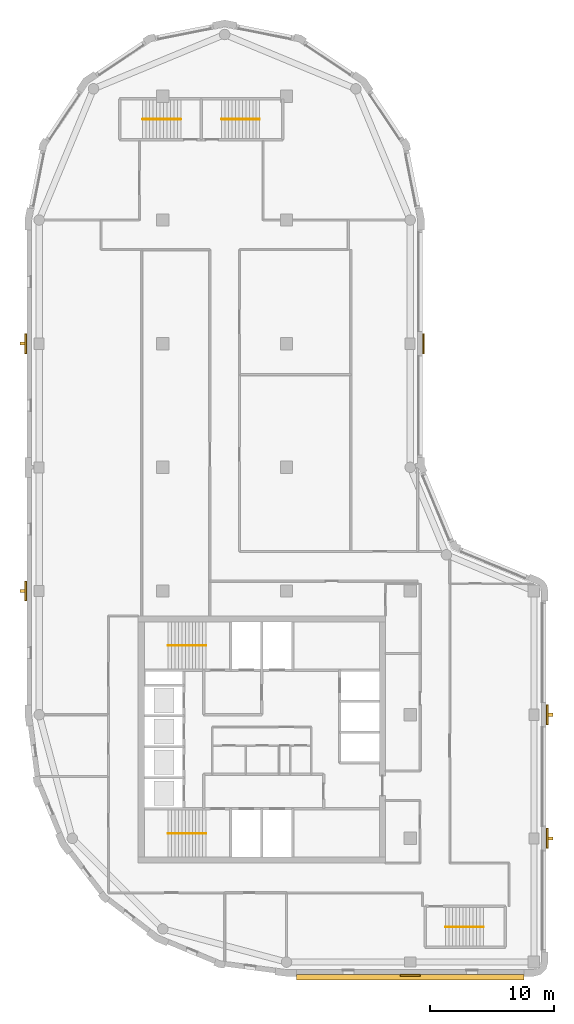
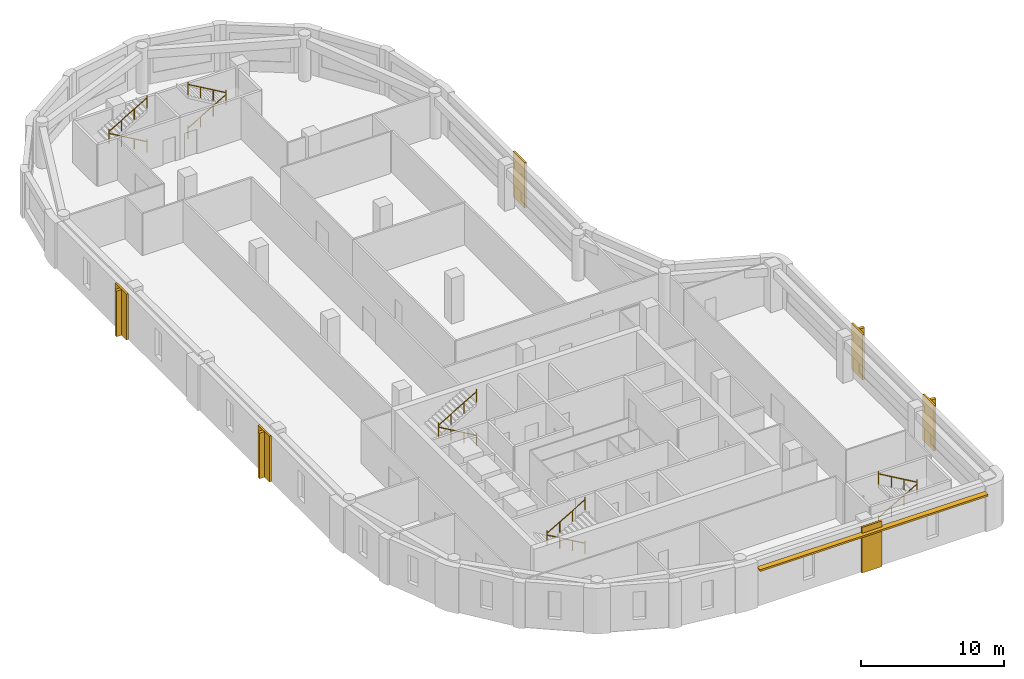
# One storey, part 7 of 8: 10 railings, 6 coverings, 5 shading devices.
"""IFC4 building model written with IfcOpenShell, lengths in metres."""

from ifc_helpers import new_model, si_unit, direction, frame, origin, origin_2d, place, context, subcontext, project, spatial, polyline, rectangle, circle, outline, extrude, material, layer, layer_set, type_object, element, save


model = new_model("IFC4")

# Units and contexts
model_context = context("Model", 3, precision=1e-05, world=origin(), true_north=direction((0.0, 1.0)))
body_context = subcontext(model_context, "Body", "Model", "MODEL_VIEW")
ifc_project = project(units=[si_unit("LENGTHUNIT", "METRE"), si_unit("AREAUNIT", "SQUARE_METRE"), si_unit("VOLUMEUNIT", "CUBIC_METRE"), si_unit("PLANEANGLEUNIT", "RADIAN"), si_unit("MASSUNIT", "GRAM", prefix="KILO")], contexts=[model_context])

# Site, building, storey
site_placement = place(None, origin())
site = spatial("IfcSite", under=ifc_project, at=site_placement, CompositionType="ELEMENT")
building_placement = place(site_placement, origin())
building = spatial("IfcBuilding", under=site, at=building_placement, Name="Qaws Garden Tower", CompositionType="ELEMENT")
storey_placement = place(building_placement, frame((0.0, 0.0, 306.0)))
storey = spatial("IfcBuildingStorey", under=building, at=storey_placement, Name="L74", CompositionType="ELEMENT", Elevation=306.0)

# Coverings
ifc_material_1 = material(Name="Clay facing brick masonry", Category="masonry")
ifc_layer_1 = layer(ifc_material_1, 0.14990234375)
ifc_layer_set_1 = layer_set([ifc_layer_1], Name="Clay facing brick masonry")
covering_type = type_object("IfcCoveringType", Name="Brick pilaster facing 150 x 1600", PredefinedType="CLADDING", material=ifc_layer_set_1)
placement = place(storey_placement, origin())
element("IfcCovering", 1, at=placement, inside=storey, type_object=covering_type, Name="E-L74-pier-01", PredefinedType="CLADDING", context=body_context, shape_type="SweptSolid", body=[
    extrude(outline(polyline([(29.199951171875, -1.0), (30.800048828125, -1.0), (30.800048828125, -1.14990234375), (29.199951171875, -1.14990234375), (29.199951171875, -1.0)])), origin(), (0.0, 0.0, 1.0), 3.89990234375),
])
element("IfcCovering", 2, at=placement, inside=storey, type_object=covering_type, Name="E-L74-pier-03", PredefinedType="CLADDING", context=body_context, shape_type="SweptSolid", body=[
    extrude(outline(polyline([(41.0, 9.199951171875), (41.0, 10.800048828125), (41.14990234375, 10.800048828125), (41.14990234375, 9.199951171875), (41.0, 9.199951171875)])), origin(), (0.0, 0.0, 1.0), 3.89990234375),
])
element("IfcCovering", 3, at=placement, inside=storey, type_object=covering_type, Name="E-L74-pier-04", PredefinedType="CLADDING", context=body_context, shape_type="SweptSolid", body=[
    extrude(outline(polyline([(41.0, 19.199951171875), (41.0, 20.800048828125), (41.14990234375, 20.800048828125), (41.14990234375, 19.199951171875), (41.0, 19.199951171875)])), origin(), (0.0, 0.0, 1.0), 3.89990234375),
])
element("IfcCovering", 4, at=placement, inside=storey, type_object=covering_type, Name="E-L74-pier-08", PredefinedType="CLADDING", context=body_context, shape_type="SweptSolid", body=[
    extrude(outline(polyline([(31.0, 49.199951171875), (31.0, 50.800048828125), (31.14990234375, 50.800048828125), (31.14990234375, 49.199951171875), (31.0, 49.199951171875)])), origin(), (0.0, 0.0, 1.0), 3.89990234375),
])
element("IfcCovering", 5, at=placement, inside=storey, type_object=covering_type, Name="E-L74-pier-18", PredefinedType="CLADDING", context=body_context, shape_type="SweptSolid", body=[
    extrude(outline(polyline([(-1.0, 50.800048828125), (-1.0, 49.199951171875), (-1.14990234375, 49.199951171875), (-1.14990234375, 50.800048828125), (-1.0, 50.800048828125)])), origin(), (0.0, 0.0, 1.0), 3.89990234375),
])
element("IfcCovering", 6, at=placement, inside=storey, type_object=covering_type, Name="E-L74-pier-20", PredefinedType="CLADDING", context=body_context, shape_type="SweptSolid", body=[
    extrude(outline(polyline([(-1.0, 30.800048828125), (-1.0, 29.199951171875), (-1.14990234375, 29.199951171875), (-1.14990234375, 30.800048828125), (-1.0, 30.800048828125)])), origin(), (0.0, 0.0, 1.0), 3.89990234375),
])

# Shading devices
ifc_material_2 = material(Name="Clay facing brick masonry", Category="masonry")
ifc_layer_2 = layer(ifc_material_2, 0.14990234375)
ifc_layer_set_2 = layer_set([ifc_layer_2], Name="Clay facing brick masonry")
shading_device_type_1 = type_object("IfcShadingDeviceType", Name="Brick sunshade band 450 x 150", PredefinedType="JALOUSIE", material=ifc_layer_set_2)
shading_device_placement = place(storey_placement, frame((0.0, 0.0, 3.25)))
element("IfcShadingDevice", 7, at=shading_device_placement, inside=storey, type_object=shading_device_type_1, Name="SUNSHADE 00", PredefinedType="JALOUSIE", context=body_context, shape_type="SweptSolid", body=[
    extrude(outline(polyline([(20.800048828125, -1.0), (20.800048828125, -1.449951171875), (39.199951171875, -1.449951171875), (39.199951171875, -1.0), (30.800048828125, -1.0), (30.800048828125, -1.14990234375), (29.199951171875, -1.14990234375), (29.199951171875, -1.0), (20.800048828125, -1.0)])), origin(), (0.0, 0.0, 1.0), 0.14990234375),
])
ifc_material_3 = material(Name="Clay facing brick masonry", Category="masonry")
ifc_layer_3 = layer(ifc_material_3, 0.25)
ifc_layer_set_3 = layer_set([ifc_layer_3], Name="Clay facing brick masonry")
shading_device_type_2 = type_object("IfcShadingDeviceType", Name="Brick-faced fin 250 x 400", PredefinedType="USERDEFINED", material=ifc_layer_set_3)
for number, where, z_axis, x_axis, name in (
    (8, (41.35009765625, 10.0, 0.0), (0.0, 0.0, 1.0), (0.0, 1.0, 0.0), "FIN 03"),
    (9, (41.35009765625, 20.0, 0.0), (0.0, 0.0, 1.0), (0.0, 1.0, 0.0), "FIN 04"),
    (10, (-1.35009765625, 50.0, 0.0), (0.0, 0.0, 1.0), (0.0, -1.0, 0.0), "FIN 18"),
    (11, (-1.35009765625, 30.0, 0.0), (0.0, 0.0, 1.0), (0.0, -1.0, 0.0), "FIN 20"),
):
    element("IfcShadingDevice", number, at=place(storey_placement, frame(where, z_axis=z_axis, x_axis=x_axis)), inside=storey, type_object=shading_device_type_2, Name=name, ObjectType="FIN", PredefinedType="USERDEFINED", context=body_context, shape_type="SweptSolid", body=[
        extrude(rectangle(XDim=0.25, YDim=0.39990234375, at=origin_2d()), origin(), (0.0, 0.0, 1.0), 3.89990234375),
    ])

# Railings
ifc_material_4 = material(Name="Steel S355", Category="steel")
railing_type = type_object("IfcRailingType", Name="Stair handrail 900", PredefinedType="HANDRAIL", material=ifc_material_4)
railing_1_placement = place(storey_placement, frame((13.5, 10.39990234375, 0.16259765625)))
element("IfcRailing", 12, at=railing_1_placement, inside=storey, type_object=railing_type, Name="Stair 1 handrail", PredefinedType="HANDRAIL", context=body_context, shape_type="SweptSolid", body=[
    extrude(circle(Radius=0.02392578125, at=origin_2d()), frame((0.0, 0.0, 0.8759765625), z_axis=(-0.864920483161, 0.0, 0.501908913857), x_axis=(0.0, -1.0, 0.0)), (0.0, 0.0, 1.0), 3.56103515625),
    extrude(circle(Radius=0.02099609375, at=origin_2d()), origin(), (0.0, 0.0, 1.0), 1.06201171875),
    extrude(circle(Radius=0.02099609375, at=origin_2d()), frame((-1.026611328125, 0.0, 0.595703125)), (0.0, 0.0, 1.0), 0.851806640625),
    extrude(circle(Radius=0.02099609375, at=origin_2d()), frame((-2.053466796875, 0.0, 1.191650390625)), (0.0, 0.0, 1.0), 0.851806640625),
    extrude(circle(Radius=0.02099609375, at=origin_2d()), frame((-3.080078125, 0.0, 1.787353515625)), (0.0, 0.0, 1.0), 1.06201171875),
])
railing_2_placement = place(storey_placement, frame((10.419921875, 10.39990234375, 2.112548828125)))
element("IfcRailing", 13, at=railing_2_placement, inside=storey, type_object=railing_type, Name="Stair 1 handrail", PredefinedType="HANDRAIL", context=body_context, shape_type="SweptSolid", body=[
    extrude(circle(Radius=0.02392578125, at=origin_2d()), frame((0.0, 0.0, 0.8759765625), z_axis=(0.864920483161, 0.0, 0.501908913857), x_axis=(0.0, 1.0, 0.0)), (0.0, 0.0, 1.0), 3.56103515625),
    extrude(circle(Radius=0.02099609375, at=origin_2d()), origin(), (0.0, 0.0, 1.0), 1.06201171875),
    extrude(circle(Radius=0.02099609375, at=origin_2d()), frame((1.026611328125, 0.0, 0.595703125)), (0.0, 0.0, 1.0), 0.851806640625),
    extrude(circle(Radius=0.02099609375, at=origin_2d()), frame((2.053466796875, 0.0, 1.191650390625)), (0.0, 0.0, 1.0), 0.851806640625),
    extrude(circle(Radius=0.02099609375, at=origin_2d()), frame((3.080078125, 0.0, 1.787353515625)), (0.0, 0.0, 1.0), 1.06201171875),
])
railing_3_placement = place(storey_placement, frame((13.5, 25.60009765625, 0.16259765625)))
element("IfcRailing", 14, at=railing_3_placement, inside=storey, type_object=railing_type, Name="Stair 4 handrail", PredefinedType="HANDRAIL", context=body_context, shape_type="SweptSolid", body=[
    extrude(circle(Radius=0.02392578125, at=origin_2d()), frame((0.0, 0.0, 0.8759765625), z_axis=(-0.864920483161, 0.0, 0.501908913857), x_axis=(0.0, -1.0, 0.0)), (0.0, 0.0, 1.0), 3.56103515625),
    extrude(circle(Radius=0.02099609375, at=origin_2d()), origin(), (0.0, 0.0, 1.0), 1.06201171875),
    extrude(circle(Radius=0.02099609375, at=origin_2d()), frame((-1.026611328125, 0.0, 0.595703125)), (0.0, 0.0, 1.0), 0.851806640625),
    extrude(circle(Radius=0.02099609375, at=origin_2d()), frame((-2.053466796875, 0.0, 1.191650390625)), (0.0, 0.0, 1.0), 0.851806640625),
    extrude(circle(Radius=0.02099609375, at=origin_2d()), frame((-3.080078125, 0.0, 1.787353515625)), (0.0, 0.0, 1.0), 1.06201171875),
])
railing_4_placement = place(storey_placement, frame((10.419921875, 25.60009765625, 2.112548828125)))
element("IfcRailing", 15, at=railing_4_placement, inside=storey, type_object=railing_type, Name="Stair 4 handrail", PredefinedType="HANDRAIL", context=body_context, shape_type="SweptSolid", body=[
    extrude(circle(Radius=0.02392578125, at=origin_2d()), frame((0.0, 0.0, 0.8759765625), z_axis=(0.864920483161, 0.0, 0.501908913857), x_axis=(0.0, 1.0, 0.0)), (0.0, 0.0, 1.0), 3.56103515625),
    extrude(circle(Radius=0.02099609375, at=origin_2d()), origin(), (0.0, 0.0, 1.0), 1.06201171875),
    extrude(circle(Radius=0.02099609375, at=origin_2d()), frame((1.026611328125, 0.0, 0.595703125)), (0.0, 0.0, 1.0), 0.851806640625),
    extrude(circle(Radius=0.02099609375, at=origin_2d()), frame((2.053466796875, 0.0, 1.191650390625)), (0.0, 0.0, 1.0), 0.851806640625),
    extrude(circle(Radius=0.02099609375, at=origin_2d()), frame((3.080078125, 0.0, 1.787353515625)), (0.0, 0.0, 1.0), 1.06201171875),
])
railing_5_placement = place(storey_placement, frame((32.85009765625, 2.85009765625, 0.16259765625)))
element("IfcRailing", 16, at=railing_5_placement, inside=storey, type_object=railing_type, Name="Stair 5 handrail", PredefinedType="HANDRAIL", context=body_context, shape_type="SweptSolid", body=[
    extrude(circle(Radius=0.02392578125, at=origin_2d()), frame((0.0, 0.0, 0.8759765625), z_axis=(0.864903211148, 0.0, 0.501938676878), x_axis=(0.0, 1.0, 0.0)), (0.0, 0.0, 1.0), 3.560791015625),
    extrude(circle(Radius=0.02099609375, at=origin_2d()), origin(), (0.0, 0.0, 1.0), 1.06201171875),
    extrude(circle(Radius=0.02099609375, at=origin_2d()), frame((1.026611328125, 0.0, 0.595703125)), (0.0, 0.0, 1.0), 0.851806640625),
    extrude(circle(Radius=0.02099609375, at=origin_2d()), frame((2.05322265625, 0.0, 1.191650390625)), (0.0, 0.0, 1.0), 0.851806640625),
    extrude(circle(Radius=0.02099609375, at=origin_2d()), frame((3.079833984375, 0.0, 1.787353515625)), (0.0, 0.0, 1.0), 1.06201171875),
])
for number, where, name in (
    (17, (35.929931640625, 2.85009765625, 2.112548828125), "Stair 5 handrail"),
    (18, (11.449951171875, 68.14990234375, 0.16259765625), "Stair 6 handrail"),
):
    element("IfcRailing", number, at=place(storey_placement, frame(where)), inside=storey, type_object=railing_type, Name=name, PredefinedType="HANDRAIL", context=body_context, shape_type="SweptSolid", body=[
        extrude(circle(Radius=0.02392578125, at=origin_2d()), frame((0.0, 0.0, 0.8759765625), z_axis=(-0.864903211148, 0.0, 0.501938676878), x_axis=(0.0, -1.0, 0.0)), (0.0, 0.0, 1.0), 3.560791015625),
        extrude(circle(Radius=0.02099609375, at=origin_2d()), origin(), (0.0, 0.0, 1.0), 1.06201171875),
        extrude(circle(Radius=0.02099609375, at=origin_2d()), frame((-1.026611328125, 0.0, 0.595703125)), (0.0, 0.0, 1.0), 0.851806640625),
        extrude(circle(Radius=0.02099609375, at=origin_2d()), frame((-2.05322265625, 0.0, 1.191650390625)), (0.0, 0.0, 1.0), 0.851806640625),
        extrude(circle(Radius=0.02099609375, at=origin_2d()), frame((-3.079833984375, 0.0, 1.787353515625)), (0.0, 0.0, 1.0), 1.06201171875),
    ])
railing_6_placement = place(storey_placement, frame((8.3701171875, 68.14990234375, 2.112548828125)))
element("IfcRailing", 19, at=railing_6_placement, inside=storey, type_object=railing_type, Name="Stair 6 handrail", PredefinedType="HANDRAIL", context=body_context, shape_type="SweptSolid", body=[
    extrude(circle(Radius=0.02392578125, at=origin_2d()), frame((0.0, 0.0, 0.8759765625), z_axis=(0.864903211148, 0.0, 0.501938676878), x_axis=(0.0, 1.0, 0.0)), (0.0, 0.0, 1.0), 3.560791015625),
    extrude(circle(Radius=0.02099609375, at=origin_2d()), origin(), (0.0, 0.0, 1.0), 1.06201171875),
    extrude(circle(Radius=0.02099609375, at=origin_2d()), frame((1.026611328125, 0.0, 0.595703125)), (0.0, 0.0, 1.0), 0.851806640625),
    extrude(circle(Radius=0.02099609375, at=origin_2d()), frame((2.05322265625, 0.0, 1.191650390625)), (0.0, 0.0, 1.0), 0.851806640625),
    extrude(circle(Radius=0.02099609375, at=origin_2d()), frame((3.079833984375, 0.0, 1.787353515625)), (0.0, 0.0, 1.0), 1.06201171875),
])
railing_7_placement = place(storey_placement, frame((14.75, 68.14990234375, 0.16259765625)))
element("IfcRailing", 20, at=railing_7_placement, inside=storey, type_object=railing_type, Name="Stair 7 handrail", PredefinedType="HANDRAIL", context=body_context, shape_type="SweptSolid", body=[
    extrude(circle(Radius=0.02392578125, at=origin_2d()), frame((0.0, 0.0, 0.8759765625), z_axis=(0.864920483161, 0.0, 0.501908913857), x_axis=(0.0, 1.0, 0.0)), (0.0, 0.0, 1.0), 3.56103515625),
    extrude(circle(Radius=0.02099609375, at=origin_2d()), origin(), (0.0, 0.0, 1.0), 1.06201171875),
    extrude(circle(Radius=0.02099609375, at=origin_2d()), frame((1.026611328125, 0.0, 0.595703125)), (0.0, 0.0, 1.0), 0.851806640625),
    extrude(circle(Radius=0.02099609375, at=origin_2d()), frame((2.053466796875, 0.0, 1.191650390625)), (0.0, 0.0, 1.0), 0.851806640625),
    extrude(circle(Radius=0.02099609375, at=origin_2d()), frame((3.080078125, 0.0, 1.787353515625)), (0.0, 0.0, 1.0), 1.06201171875),
])
railing_8_placement = place(storey_placement, frame((17.830078125, 68.14990234375, 2.112548828125)))
element("IfcRailing", 21, at=railing_8_placement, inside=storey, type_object=railing_type, Name="Stair 7 handrail", PredefinedType="HANDRAIL", context=body_context, shape_type="SweptSolid", body=[
    extrude(circle(Radius=0.02392578125, at=origin_2d()), frame((0.0, 0.0, 0.8759765625), z_axis=(-0.864920483161, 0.0, 0.501908913857), x_axis=(0.0, -1.0, 0.0)), (0.0, 0.0, 1.0), 3.56103515625),
    extrude(circle(Radius=0.02099609375, at=origin_2d()), origin(), (0.0, 0.0, 1.0), 1.06201171875),
    extrude(circle(Radius=0.02099609375, at=origin_2d()), frame((-1.026611328125, 0.0, 0.595703125)), (0.0, 0.0, 1.0), 0.851806640625),
    extrude(circle(Radius=0.02099609375, at=origin_2d()), frame((-2.053466796875, 0.0, 1.191650390625)), (0.0, 0.0, 1.0), 0.851806640625),
    extrude(circle(Radius=0.02099609375, at=origin_2d()), frame((-3.080078125, 0.0, 1.787353515625)), (0.0, 0.0, 1.0), 1.06201171875),
])

save(model, "model.ifc")
